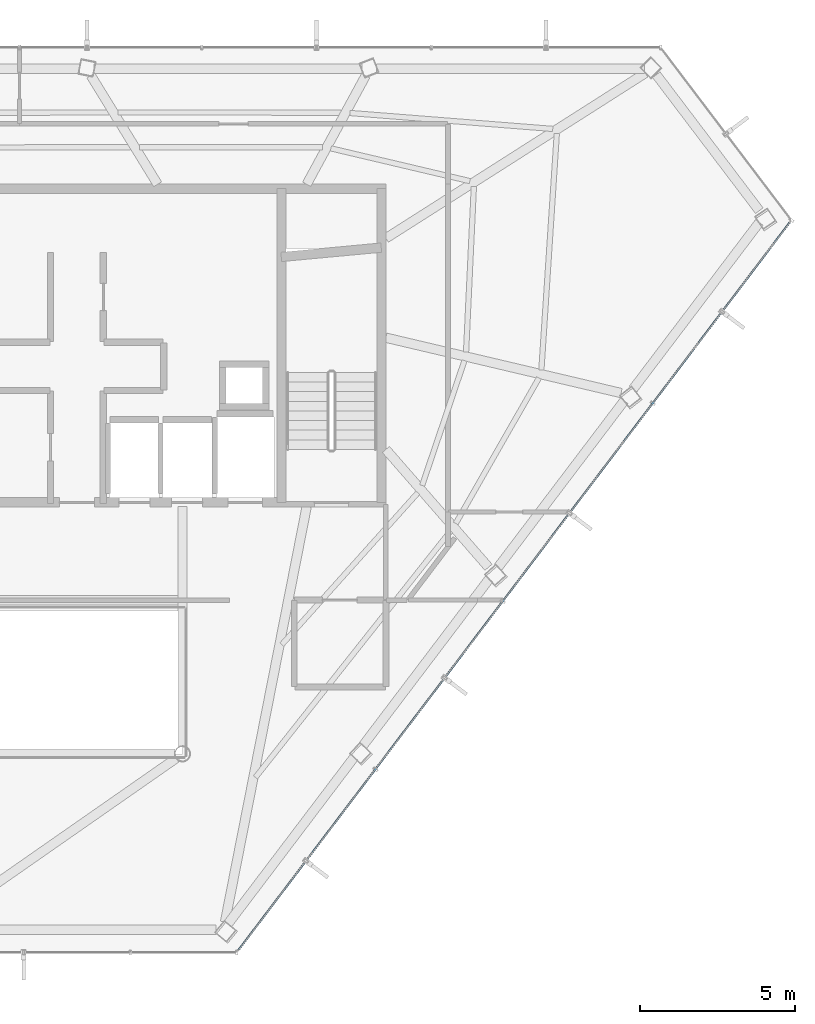
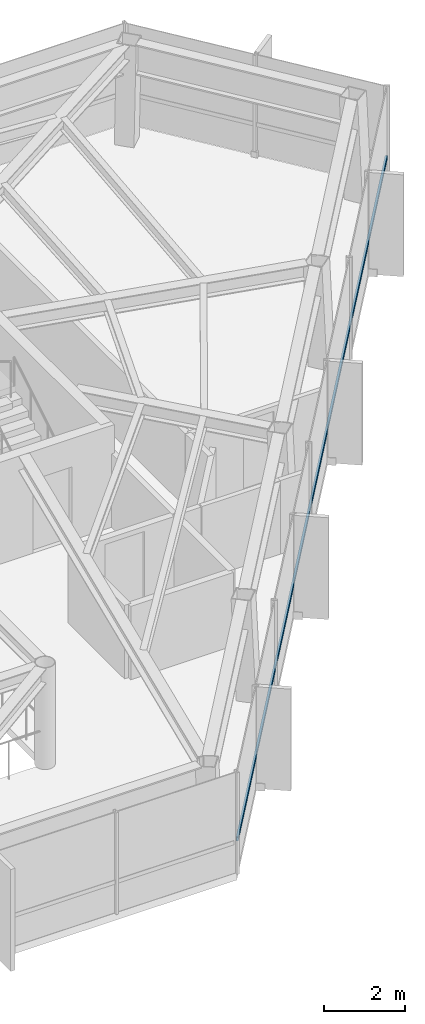
# One storey, part 16 of 24: 1 member, 1 element without a shape of its own.
"""IFC4 building model written with IfcOpenShell, lengths in metres."""

from ifc_helpers import new_model, si_unit, direction, frame, origin, origin_2d, place, context, subcontext, project, spatial, hollow_rectangle, extrude, material, layer, layer_set, material_profile, profile_set, type_object, element, aggregate, save


model = new_model("IFC4")

# Units and contexts
model_context = context("Model", 3, precision=1e-05, world=origin(), true_north=direction((0.0, 1.0)))
body_context = subcontext(model_context, "Body", "Model", "MODEL_VIEW")
ifc_project = project(units=[si_unit("LENGTHUNIT", "METRE"), si_unit("AREAUNIT", "SQUARE_METRE"), si_unit("VOLUMEUNIT", "CUBIC_METRE"), si_unit("PLANEANGLEUNIT", "RADIAN"), si_unit("MASSUNIT", "GRAM", prefix="KILO")], contexts=[model_context])

# Site, building, storey
site_placement = place(None, origin())
site = spatial("IfcSite", under=ifc_project, at=site_placement, CompositionType="ELEMENT")
building_placement = place(site_placement, origin())
building = spatial("IfcBuilding", under=site, at=building_placement, Name="Zarrinselat Tower", CompositionType="ELEMENT")
storey_placement = place(building_placement, frame((0.0, 0.0, 249.56005859375)))
storey = spatial("IfcBuildingStorey", under=building, at=storey_placement, Name="L63", CompositionType="ELEMENT", Elevation=249.56005859375)

# Curtain wall, member
ifc_material_1 = material(Name="Extruded Aluminium Alloy EN AW-6063 T6", Category="aluminium")
ifc_layer = layer(ifc_material_1, 0.169921875)
ifc_layer_set = layer_set([ifc_layer], Name="Extruded Aluminium Alloy EN AW-6063 T6")
curtain_wall_type = type_object("IfcCurtainWallType", Name="CWS-RES", PredefinedType="NOTDEFINED", material=ifc_layer_set)
curtain_wall_placement = place(storey_placement, origin())
curtain_wall = element("IfcCurtainWall", 1, at=curtain_wall_placement, inside=storey, type_object=curtain_wall_type, Name="L63 Unitised Curtain Wall CW-L63-E05", PredefinedType="NOTDEFINED")
ifc_material_2 = material(Name="Extruded Aluminium Alloy EN AW-6063 T6", Category="aluminium")
ifc_material_profile = material_profile(ifc_material_2, hollow_rectangle(XDim=0.06005859375, YDim=0.1201171875, WallThickness=0.00390625, at=origin_2d()), Name="RHS 120x60x4")
ifc_profile_set = profile_set([ifc_material_profile], Name="Extruded Aluminium Alloy EN AW-6063 T6")
member_type = type_object("IfcMemberType", Name="MEM-CW-TRN2", PredefinedType="USERDEFINED", material=ifc_profile_set)
member_placement = place(storey_placement, frame((43.599365234375, 18.874267578125, 0.949951171875), z_axis=(0.603857208459, 0.797092511439, 0.0), x_axis=(-0.797092511439, 0.603857208459, 0.0)))
member = element("IfcMember", 2, at=member_placement, type_object=member_type, Name="CW-L63-E05 Transom 1", ObjectType="TRANSOM", PredefinedType="USERDEFINED", context=body_context, shape_type="SweptSolid", body=[
    extrude(hollow_rectangle(XDim=0.06005859375, YDim=0.1201171875, WallThickness=0.00390625, at=origin_2d()), origin(), (0.0, 0.0, 1.0), 29.406494140625),
])
aggregate(curtain_wall, [member])

save(model, "model.ifc")
